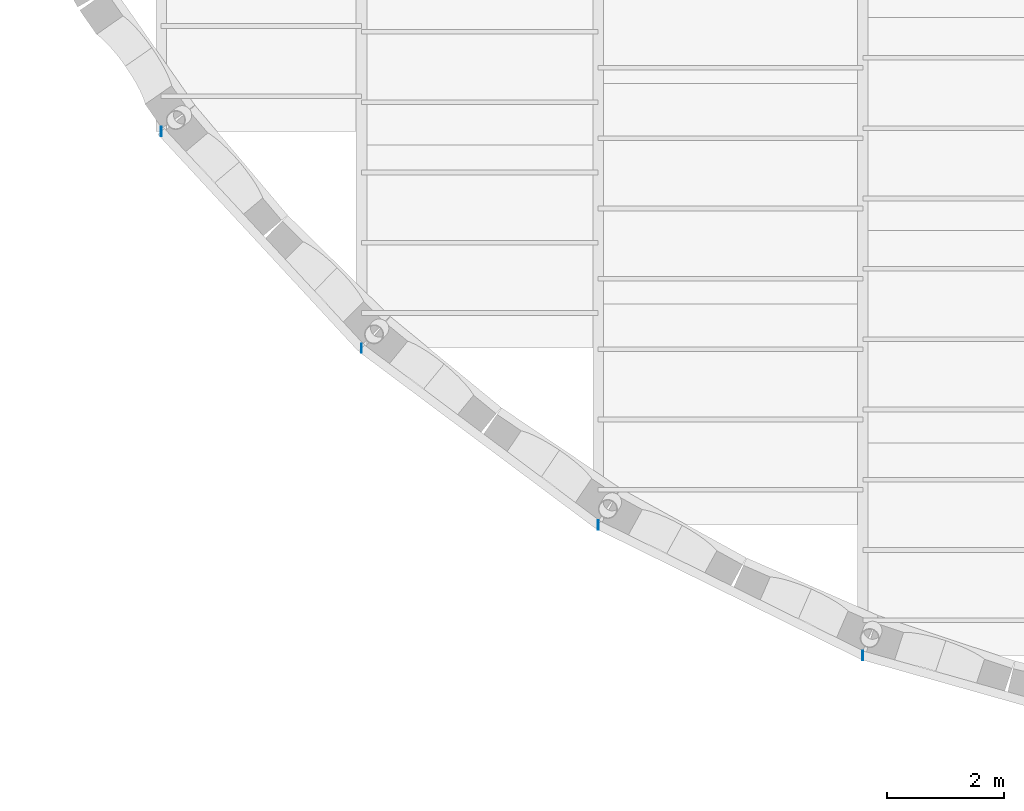
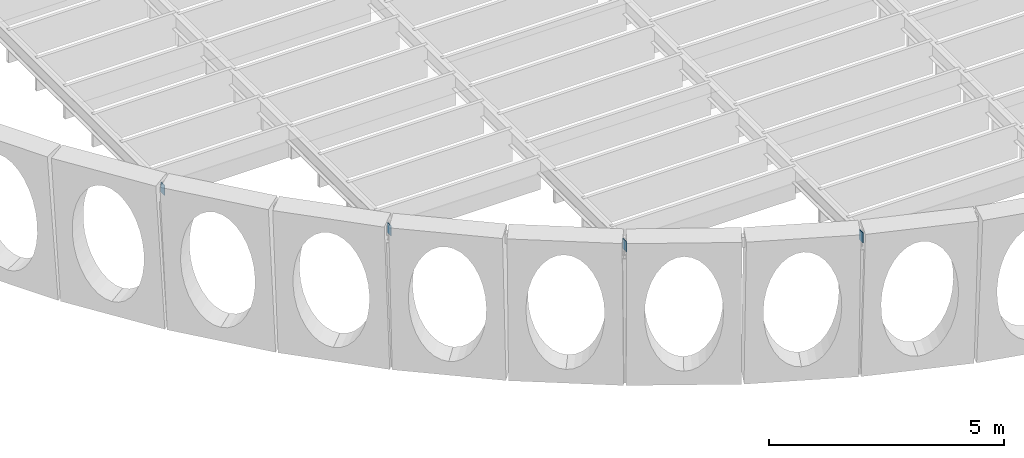
# One storey, part 21 of 47: 4 plates.
"""IFC4 building model written with IfcOpenShell, lengths in metres."""

from ifc_helpers import new_model, si_unit, direction, frame, origin, origin_2d, place, context, subcontext, project, spatial, rectangle, extrude, material, layer, layer_set, type_object, element, save


model = new_model("IFC4")

# Units and contexts
model_context = context("Model", 3, precision=1e-05, world=origin(), true_north=direction((0.0, 1.0)))
body_context = subcontext(model_context, "Body", "Model", "MODEL_VIEW")
ifc_project = project(units=[si_unit("LENGTHUNIT", "METRE"), si_unit("AREAUNIT", "SQUARE_METRE"), si_unit("VOLUMEUNIT", "CUBIC_METRE"), si_unit("PLANEANGLEUNIT", "RADIAN"), si_unit("MASSUNIT", "GRAM", prefix="KILO")], contexts=[model_context])

# Site, building, storey
site_placement = place(None, origin())
site = spatial("IfcSite", under=ifc_project, at=site_placement, CompositionType="ELEMENT")
building_placement = place(site_placement, origin())
building = spatial("IfcBuilding", under=site, at=building_placement, Name="Mawjan Specialist Oncology Clinic", CompositionType="ELEMENT")
storey_placement = place(building_placement, frame((0.0, 0.0, 9.5)))
storey = spatial("IfcBuildingStorey", under=building, at=storey_placement, Name="L02", CompositionType="ELEMENT", Elevation=9.5)

# Plates
ifc_material = material(Name="Structural steel S355", Category="steel")
ifc_layer = layer(ifc_material, 0.01611328125, Name="Structural steel S355", Category="steel")
ifc_layer_set = layer_set([ifc_layer], Name="Structural steel S355")
plate_type = type_object("IfcPlateType", Name="EC-16", PredefinedType="SHEET", material=ifc_layer_set)
for number, where, z_axis, x_axis, name in (
    (1, (62.152587890625, 12.23583984375, 3.64501953125), (0.0, 0.0, 1.0), (1.0, 0.0, 0.0), "HSS End-Cap Plate EC-001"),
    (2, (65.573486328125, 8.53515625, 3.64501953125), (0.0, 0.0, 1.0), (1.0, 0.0, 0.0), "HSS End-Cap Plate EC-002"),
    (3, (69.611328125, 5.519775390625, 3.64501953125), (0.0, 0.0, 1.0), (1.0, 0.0, 0.0), "HSS End-Cap Plate EC-003"),
    (4, (74.131103515625, 3.291015625, 3.64501953125), (0.0, 0.0, 1.0), (1.0, 0.0, 0.0), "HSS End-Cap Plate EC-004"),
):
    element("IfcPlate", number, at=place(storey_placement, frame(where, z_axis=z_axis, x_axis=x_axis)), inside=storey, type_object=plate_type, Name=name, PredefinedType="SHEET", context=body_context, shape_type="SweptSolid", body=[
        extrude(rectangle(XDim=0.01611328125, YDim=0.159912109375, at=origin_2d()), origin(), (0.0, 0.0, 1.0), 0.260009765625),
    ])

save(model, "model.ifc")
